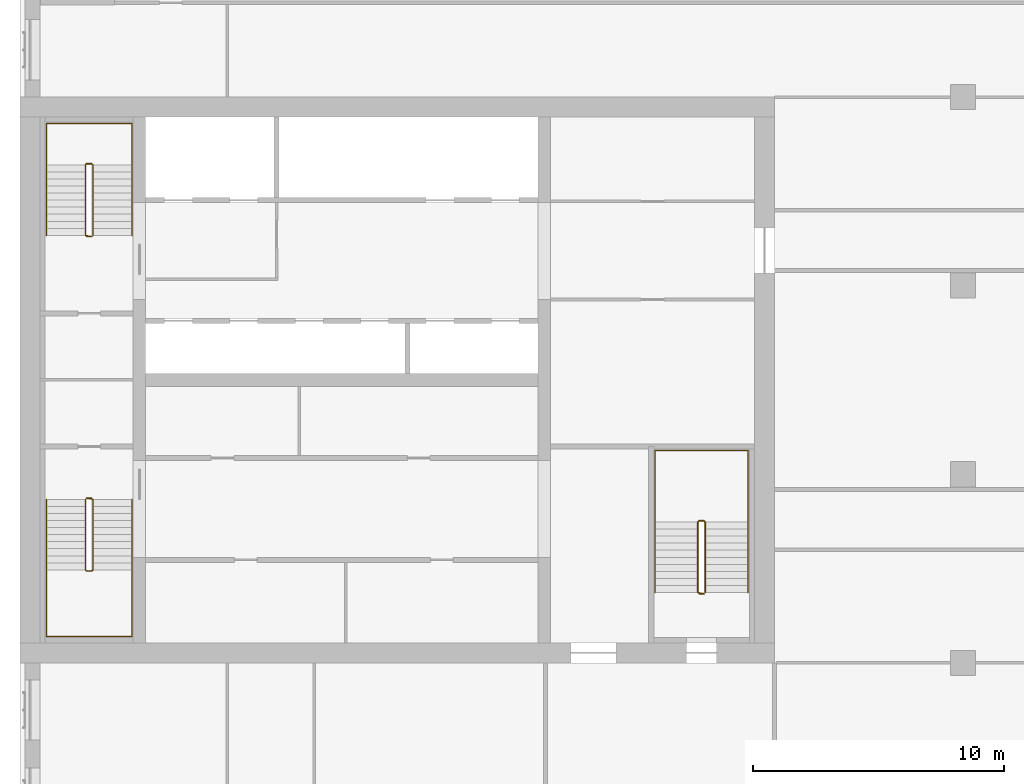
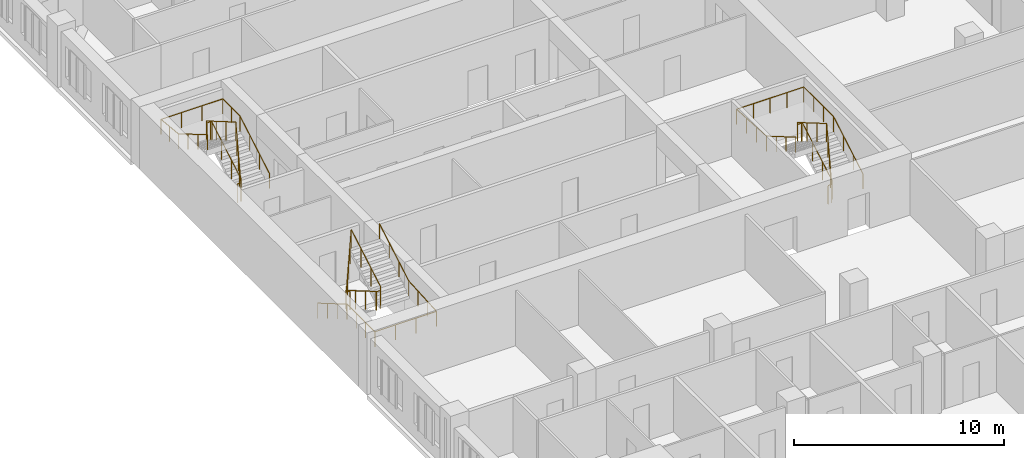
# One storey, part 14 of 14: 6 railings.
"""IFC4 building model written with IfcOpenShell, lengths in metres."""

from ifc_helpers import new_model, si_unit, direction, frame, origin, origin_2d, place, context, subcontext, project, spatial, circle, extrude, material, type_object, element, save


model = new_model("IFC4")

# Units and contexts
model_context = context("Model", 3, precision=1e-05, world=origin(), true_north=direction((0.0, 1.0)))
body_context = subcontext(model_context, "Body", "Model", "MODEL_VIEW")
ifc_project = project(units=[si_unit("LENGTHUNIT", "METRE"), si_unit("AREAUNIT", "SQUARE_METRE"), si_unit("VOLUMEUNIT", "CUBIC_METRE"), si_unit("PLANEANGLEUNIT", "RADIAN"), si_unit("MASSUNIT", "GRAM", prefix="KILO")], contexts=[model_context])

# Site, building, storey
site_placement = place(None, origin())
site = spatial("IfcSite", under=ifc_project, at=site_placement, CompositionType="ELEMENT")
building_placement = place(site_placement, origin())
building = spatial("IfcBuilding", under=site, at=building_placement, Name="Tamorin Gate", CompositionType="ELEMENT")
storey_placement = place(building_placement, frame((0.0, 0.0, 162.60009765625)))
storey = spatial("IfcBuildingStorey", under=building, at=storey_placement, Name="L40", CompositionType="ELEMENT", Elevation=162.60009765625)

# Railings
ifc_material_1 = material(Name="Painted steel balustrade", Category="steel")
railing_type_1 = type_object("IfcRailingType", Name="Stair guard 1100", PredefinedType="GUARDRAIL", material=ifc_material_1)
railing_1_placement = place(storey_placement, frame((32.60009765625, 66.5, 0.16357421875)))
element("IfcRailing", 1, at=railing_1_placement, inside=storey, type_object=railing_type_1, Name="L40 ST1 stair guard 1", PredefinedType="GUARDRAIL", context=body_context, shape_type="SweptSolid", body=[
    extrude(circle(Radius=0.02392578125, at=origin_2d()), frame((0.0, 0.0, 1.076171875), z_axis=(0.0, -0.863393664356, 0.504530851732), x_axis=(1.0, 0.0, 0.0)), (0.0, 0.0, 1.0), 3.2431640625),
    extrude(circle(Radius=0.02392578125, at=origin_2d()), frame((0.0, -2.800048828125, 2.71240234375), z_axis=(0.705375805398, -0.708833529934, 0.0), x_axis=(0.708833529934, 0.705375805398, 0.0)), (0.0, 0.0, 1.0), 0.070556640625),
    extrude(circle(Radius=0.02392578125, at=origin_2d()), frame((0.0498046875, -2.85009765625, 2.71240234375), z_axis=(1.0, 0.0, 0.0), x_axis=(0.0, 1.0, 0.0)), (0.0, 0.0, 1.0), 0.2001953125),
    extrude(circle(Radius=0.02392578125, at=origin_2d()), frame((0.25, -2.85009765625, 2.71240234375), z_axis=(0.279194930351, 0.280563532951, 0.91833234444), x_axis=(-0.708833529934, 0.705375805398, 0.0)), (0.0, 0.0, 1.0), 0.178466796875),
    extrude(circle(Radius=0.02392578125, at=origin_2d()), frame((0.2998046875, -2.800048828125, 2.8759765625), z_axis=(0.0, 0.863393664356, 0.504530851732), x_axis=(-1.0, 0.0, 0.0)), (0.0, 0.0, 1.0), 3.2431640625),
    extrude(circle(Radius=0.02392578125, at=origin_2d()), frame((0.2998046875, 0.0, 4.51220703125), z_axis=(-0.069273741535, 0.013868278335, -0.997501288014), x_axis=(-0.196300278283, -0.98054382908, 0.0)), (0.0, 0.0, 1.0), 3.60888671875),
    extrude(circle(Radius=0.02392578125, at=origin_2d()), frame((0.0498046875, 0.050048828125, 0.91259765625), z_axis=(1.0, 0.0, 0.0), x_axis=(0.0, 1.0, 0.0)), (0.0, 0.0, 1.0), 0.2001953125),
    extrude(circle(Radius=0.02099609375, at=origin_2d()), origin(), (0.0, 0.0, 1.0), 1.052001953125),
    extrude(circle(Radius=0.02099609375, at=origin_2d()), frame((0.0, -0.933349609375, 0.54541015625)), (0.0, 0.0, 1.0), 1.052001953125),
    extrude(circle(Radius=0.02099609375, at=origin_2d()), frame((0.0, -1.86669921875, 1.0908203125)), (0.0, 0.0, 1.0), 1.052001953125),
    extrude(circle(Radius=0.02099609375, at=origin_2d()), frame((0.0, -2.800048828125, 1.63623046875)), (0.0, 0.0, 1.0), 1.052001953125),
    extrude(circle(Radius=0.02099609375, at=origin_2d()), frame((0.0498046875, -2.85009765625, 1.63623046875)), (0.0, 0.0, 1.0), 1.052001953125),
    extrude(circle(Radius=0.02099609375, at=origin_2d()), frame((0.25, -2.85009765625, 1.63623046875)), (0.0, 0.0, 1.0), 1.052001953125),
    extrude(circle(Radius=0.02099609375, at=origin_2d()), frame((0.2998046875, -2.800048828125, 1.800048828125)), (0.0, 0.0, 1.0), 1.052001953125),
    extrude(circle(Radius=0.02099609375, at=origin_2d()), frame((0.2998046875, -1.86669921875, 2.345458984375)), (0.0, 0.0, 1.0), 1.052001953125),
    extrude(circle(Radius=0.02099609375, at=origin_2d()), frame((0.2998046875, -0.933349609375, 2.890869140625)), (0.0, 0.0, 1.0), 1.052001953125),
    extrude(circle(Radius=0.02099609375, at=origin_2d()), frame((0.2998046875, 0.0, 3.436279296875)), (0.0, 0.0, 1.0), 1.052001953125),
    extrude(circle(Radius=0.02099609375, at=origin_2d()), frame((0.2373046875, 0.012451171875, 2.536376953125)), (0.0, 0.0, 1.0), 1.052001953125),
    extrude(circle(Radius=0.02099609375, at=origin_2d()), frame((0.1748046875, 0.02490234375, 1.63623046875)), (0.0, 0.0, 1.0), 1.052001953125),
    extrude(circle(Radius=0.02099609375, at=origin_2d()), frame((0.1123046875, 0.03759765625, 0.736328125)), (0.0, 0.0, 1.0), 1.052001953125),
    extrude(circle(Radius=0.02099609375, at=origin_2d()), frame((0.0498046875, 0.050048828125, -0.16357421875)), (0.0, 0.0, 1.0), 1.052001953125),
    extrude(circle(Radius=0.02099609375, at=origin_2d()), frame((0.25, 0.050048828125, -0.16357421875)), (0.0, 0.0, 1.0), 1.052001953125),
])
railing_2_placement = place(storey_placement, frame((32.89990234375, 77.0, 0.16357421875)))
element("IfcRailing", 2, at=railing_2_placement, inside=storey, type_object=railing_type_1, Name="L40 ST2 stair guard 1", PredefinedType="GUARDRAIL", context=body_context, shape_type="SweptSolid", body=[
    extrude(circle(Radius=0.02392578125, at=origin_2d()), frame((0.0, 0.0, 1.076171875), z_axis=(0.0, 0.863393664356, 0.504530851732), x_axis=(-1.0, 0.0, 0.0)), (0.0, 0.0, 1.0), 3.2431640625),
    extrude(circle(Radius=0.02392578125, at=origin_2d()), frame((0.0, 2.800048828125, 2.71240234375), z_axis=(-0.705375805398, 0.708833529934, 0.0), x_axis=(-0.708833529934, -0.705375805398, 0.0)), (0.0, 0.0, 1.0), 0.070556640625),
    extrude(circle(Radius=0.02392578125, at=origin_2d()), frame((-0.0498046875, 2.85009765625, 2.71240234375), z_axis=(-1.0, 0.0, 0.0), x_axis=(0.0, -1.0, 0.0)), (0.0, 0.0, 1.0), 0.2001953125),
    extrude(circle(Radius=0.02392578125, at=origin_2d()), frame((-0.25, 2.85009765625, 2.71240234375), z_axis=(-0.279194930351, -0.280563532951, 0.91833234444), x_axis=(0.708833529934, -0.705375805398, 0.0)), (0.0, 0.0, 1.0), 0.178466796875),
    extrude(circle(Radius=0.02392578125, at=origin_2d()), frame((-0.2998046875, 2.800048828125, 2.8759765625), z_axis=(0.0, -0.863393664356, 0.504530851732), x_axis=(1.0, 0.0, 0.0)), (0.0, 0.0, 1.0), 3.2431640625),
    extrude(circle(Radius=0.02392578125, at=origin_2d()), frame((-0.2998046875, 0.0, 4.51220703125), z_axis=(0.069273741535, -0.013868278335, -0.997501288014), x_axis=(0.196300278283, 0.98054382908, 0.0)), (0.0, 0.0, 1.0), 3.60888671875),
    extrude(circle(Radius=0.02392578125, at=origin_2d()), frame((-0.0498046875, -0.050048828125, 0.91259765625), z_axis=(-1.0, 0.0, 0.0), x_axis=(0.0, -1.0, 0.0)), (0.0, 0.0, 1.0), 0.2001953125),
    extrude(circle(Radius=0.02099609375, at=origin_2d()), origin(), (0.0, 0.0, 1.0), 1.052001953125),
    extrude(circle(Radius=0.02099609375, at=origin_2d()), frame((0.0, 0.933349609375, 0.54541015625)), (0.0, 0.0, 1.0), 1.052001953125),
    extrude(circle(Radius=0.02099609375, at=origin_2d()), frame((0.0, 1.86669921875, 1.0908203125)), (0.0, 0.0, 1.0), 1.052001953125),
    extrude(circle(Radius=0.02099609375, at=origin_2d()), frame((0.0, 2.800048828125, 1.63623046875)), (0.0, 0.0, 1.0), 1.052001953125),
    extrude(circle(Radius=0.02099609375, at=origin_2d()), frame((-0.0498046875, 2.85009765625, 1.63623046875)), (0.0, 0.0, 1.0), 1.052001953125),
    extrude(circle(Radius=0.02099609375, at=origin_2d()), frame((-0.25, 2.85009765625, 1.63623046875)), (0.0, 0.0, 1.0), 1.052001953125),
    extrude(circle(Radius=0.02099609375, at=origin_2d()), frame((-0.2998046875, 2.800048828125, 1.800048828125)), (0.0, 0.0, 1.0), 1.052001953125),
    extrude(circle(Radius=0.02099609375, at=origin_2d()), frame((-0.2998046875, 1.86669921875, 2.345458984375)), (0.0, 0.0, 1.0), 1.052001953125),
    extrude(circle(Radius=0.02099609375, at=origin_2d()), frame((-0.2998046875, 0.933349609375, 2.890869140625)), (0.0, 0.0, 1.0), 1.052001953125),
    extrude(circle(Radius=0.02099609375, at=origin_2d()), frame((-0.2998046875, 0.0, 3.436279296875)), (0.0, 0.0, 1.0), 1.052001953125),
    extrude(circle(Radius=0.02099609375, at=origin_2d()), frame((-0.2373046875, -0.012451171875, 2.536376953125)), (0.0, 0.0, 1.0), 1.052001953125),
    extrude(circle(Radius=0.02099609375, at=origin_2d()), frame((-0.1748046875, -0.02490234375, 1.63623046875)), (0.0, 0.0, 1.0), 1.052001953125),
    extrude(circle(Radius=0.02099609375, at=origin_2d()), frame((-0.1123046875, -0.03759765625, 0.736328125)), (0.0, 0.0, 1.0), 1.052001953125),
    extrude(circle(Radius=0.02099609375, at=origin_2d()), frame((-0.0498046875, -0.050048828125, -0.16357421875)), (0.0, 0.0, 1.0), 1.052001953125),
    extrude(circle(Radius=0.02099609375, at=origin_2d()), frame((-0.25, -0.050048828125, -0.16357421875)), (0.0, 0.0, 1.0), 1.052001953125),
])
railing_3_placement = place(storey_placement, frame((57.25, 62.800048828125, 0.16357421875)))
element("IfcRailing", 3, at=railing_3_placement, inside=storey, type_object=railing_type_1, Name="L40 ST3 stair guard 1", PredefinedType="GUARDRAIL", context=body_context, shape_type="SweptSolid", body=[
    extrude(circle(Radius=0.02392578125, at=origin_2d()), frame((0.0, 0.0, 1.076171875), z_axis=(0.0, 0.863393664356, 0.504530851732), x_axis=(-1.0, 0.0, 0.0)), (0.0, 0.0, 1.0), 3.2431640625),
    extrude(circle(Radius=0.02392578125, at=origin_2d()), frame((0.0, 2.800048828125, 2.71240234375), z_axis=(-0.708833529934, 0.705375805398, 0.0), x_axis=(-0.705375805398, -0.708833529934, 0.0)), (0.0, 0.0, 1.0), 0.070556640625),
    extrude(circle(Radius=0.02392578125, at=origin_2d()), frame((-0.050048828125, 2.849853515625, 2.71240234375), z_axis=(-1.0, 0.0, 0.0), x_axis=(0.0, -1.0, 0.0)), (0.0, 0.0, 1.0), 0.199951171875),
    extrude(circle(Radius=0.02392578125, at=origin_2d()), frame((-0.25, 2.849853515625, 2.71240234375), z_axis=(-0.280563532951, -0.279194930351, 0.91833234444), x_axis=(0.705375805398, -0.708833529934, 0.0)), (0.0, 0.0, 1.0), 0.178466796875),
    extrude(circle(Radius=0.02392578125, at=origin_2d()), frame((-0.300048828125, 2.800048828125, 2.8759765625), z_axis=(0.0, -0.863393664356, 0.504530851732), x_axis=(1.0, 0.0, 0.0)), (0.0, 0.0, 1.0), 3.2431640625),
    extrude(circle(Radius=0.02392578125, at=origin_2d()), frame((-0.300048828125, 0.0, 4.51220703125), z_axis=(0.069273741535, -0.013868278335, -0.997501288014), x_axis=(0.196300278283, 0.98054382908, 0.0)), (0.0, 0.0, 1.0), 3.60888671875),
    extrude(circle(Radius=0.02392578125, at=origin_2d()), frame((-0.050048828125, -0.050048828125, 0.91259765625), z_axis=(-1.0, 0.0, 0.0), x_axis=(0.0, -1.0, 0.0)), (0.0, 0.0, 1.0), 0.199951171875),
    extrude(circle(Radius=0.02099609375, at=origin_2d()), origin(), (0.0, 0.0, 1.0), 1.052001953125),
    extrude(circle(Radius=0.02099609375, at=origin_2d()), frame((0.0, 0.933349609375, 0.54541015625)), (0.0, 0.0, 1.0), 1.052001953125),
    extrude(circle(Radius=0.02099609375, at=origin_2d()), frame((0.0, 1.86669921875, 1.0908203125)), (0.0, 0.0, 1.0), 1.052001953125),
    extrude(circle(Radius=0.02099609375, at=origin_2d()), frame((0.0, 2.800048828125, 1.63623046875)), (0.0, 0.0, 1.0), 1.052001953125),
    extrude(circle(Radius=0.02099609375, at=origin_2d()), frame((-0.050048828125, 2.849853515625, 1.63623046875)), (0.0, 0.0, 1.0), 1.052001953125),
    extrude(circle(Radius=0.02099609375, at=origin_2d()), frame((-0.25, 2.849853515625, 1.63623046875)), (0.0, 0.0, 1.0), 1.052001953125),
    extrude(circle(Radius=0.02099609375, at=origin_2d()), frame((-0.300048828125, 2.800048828125, 1.800048828125)), (0.0, 0.0, 1.0), 1.052001953125),
    extrude(circle(Radius=0.02099609375, at=origin_2d()), frame((-0.300048828125, 1.86669921875, 2.345458984375)), (0.0, 0.0, 1.0), 1.052001953125),
    extrude(circle(Radius=0.02099609375, at=origin_2d()), frame((-0.300048828125, 0.933349609375, 2.890869140625)), (0.0, 0.0, 1.0), 1.052001953125),
    extrude(circle(Radius=0.02099609375, at=origin_2d()), frame((-0.300048828125, 0.0, 3.436279296875)), (0.0, 0.0, 1.0), 1.052001953125),
    extrude(circle(Radius=0.02099609375, at=origin_2d()), frame((-0.237548828125, -0.012451171875, 2.536376953125)), (0.0, 0.0, 1.0), 1.052001953125),
    extrude(circle(Radius=0.02099609375, at=origin_2d()), frame((-0.175048828125, -0.02490234375, 1.63623046875)), (0.0, 0.0, 1.0), 1.052001953125),
    extrude(circle(Radius=0.02099609375, at=origin_2d()), frame((-0.112548828125, -0.03759765625, 0.736328125)), (0.0, 0.0, 1.0), 1.052001953125),
    extrude(circle(Radius=0.02099609375, at=origin_2d()), frame((-0.050048828125, -0.050048828125, -0.16357421875)), (0.0, 0.0, 1.0), 1.052001953125),
    extrude(circle(Radius=0.02099609375, at=origin_2d()), frame((-0.25, -0.050048828125, -0.16357421875)), (0.0, 0.0, 1.0), 1.052001953125),
])
ifc_material_2 = material(Name="Painted steel handrail", Category="steel")
railing_type_2 = type_object("IfcRailingType", Name="Stair handrail 900", PredefinedType="HANDRAIL", material=ifc_material_2)
railing_4_placement = place(storey_placement, frame((31.050048828125, 66.5, 0.16357421875)))
element("IfcRailing", 4, at=railing_4_placement, inside=storey, type_object=railing_type_2, Name="L40 ST1 stair handrail 1", PredefinedType="HANDRAIL", context=body_context, shape_type="SweptSolid", body=[
    extrude(circle(Radius=0.02392578125, at=origin_2d()), frame((0.0, 0.0, 0.8759765625), z_axis=(0.0, -0.863393664356, 0.504530851732), x_axis=(1.0, 0.0, 0.0)), (0.0, 0.0, 1.0), 3.2431640625),
    extrude(circle(Radius=0.02392578125, at=origin_2d()), frame((0.0, -2.800048828125, 2.51220703125), z_axis=(0.0, -1.0, 0.0), x_axis=(1.0, 0.0, 0.0)), (0.0, 0.0, 1.0), 2.64990234375),
    extrude(circle(Radius=0.02392578125, at=origin_2d()), frame((0.0, -5.449951171875, 2.51220703125), z_axis=(1.0, 0.0, 0.0), x_axis=(0.0, 1.0, 0.0)), (0.0, 0.0, 1.0), 3.39990234375),
    extrude(circle(Radius=0.02392578125, at=origin_2d()), frame((3.39990234375, -5.449951171875, 2.51220703125), z_axis=(0.0, 0.998094571079, 0.061702732375), x_axis=(-1.0, 0.0, 0.0)), (0.0, 0.0, 1.0), 2.655029296875),
    extrude(circle(Radius=0.02392578125, at=origin_2d()), frame((3.39990234375, -2.800048828125, 2.67578125), z_axis=(0.0, 0.863393664356, 0.504530851732), x_axis=(-1.0, 0.0, 0.0)), (0.0, 0.0, 1.0), 3.2431640625),
    extrude(circle(Radius=0.02099609375, at=origin_2d()), origin(), (0.0, 0.0, 1.0), 0.851806640625),
    extrude(circle(Radius=0.02099609375, at=origin_2d()), frame((0.0, -0.933349609375, 0.54541015625)), (0.0, 0.0, 1.0), 0.851806640625),
    extrude(circle(Radius=0.02099609375, at=origin_2d()), frame((0.0, -1.86669921875, 1.0908203125)), (0.0, 0.0, 1.0), 0.851806640625),
    extrude(circle(Radius=0.02099609375, at=origin_2d()), frame((0.0, -2.800048828125, 1.63623046875)), (0.0, 0.0, 1.0), 0.851806640625),
    extrude(circle(Radius=0.02099609375, at=origin_2d()), frame((0.0, -3.683349609375, 1.63623046875)), (0.0, 0.0, 1.0), 0.851806640625),
    extrude(circle(Radius=0.02099609375, at=origin_2d()), frame((0.0, -4.566650390625, 1.63623046875)), (0.0, 0.0, 1.0), 0.851806640625),
    extrude(circle(Radius=0.02099609375, at=origin_2d()), frame((0.0, -5.449951171875, 1.63623046875)), (0.0, 0.0, 1.0), 0.851806640625),
    extrude(circle(Radius=0.02099609375, at=origin_2d()), frame((1.13330078125, -5.449951171875, 1.63623046875)), (0.0, 0.0, 1.0), 0.851806640625),
    extrude(circle(Radius=0.02099609375, at=origin_2d()), frame((2.2666015625, -5.449951171875, 1.63623046875)), (0.0, 0.0, 1.0), 0.851806640625),
    extrude(circle(Radius=0.02099609375, at=origin_2d()), frame((3.39990234375, -5.449951171875, 1.63623046875)), (0.0, 0.0, 1.0), 0.851806640625),
    extrude(circle(Radius=0.02099609375, at=origin_2d()), frame((3.39990234375, -4.566650390625, 1.69091796875)), (0.0, 0.0, 1.0), 0.851806640625),
    extrude(circle(Radius=0.02099609375, at=origin_2d()), frame((3.39990234375, -3.683349609375, 1.745361328125)), (0.0, 0.0, 1.0), 0.851806640625),
    extrude(circle(Radius=0.02099609375, at=origin_2d()), frame((3.39990234375, -2.800048828125, 1.800048828125)), (0.0, 0.0, 1.0), 0.851806640625),
    extrude(circle(Radius=0.02099609375, at=origin_2d()), frame((3.39990234375, -1.86669921875, 2.345458984375)), (0.0, 0.0, 1.0), 0.851806640625),
    extrude(circle(Radius=0.02099609375, at=origin_2d()), frame((3.39990234375, -0.933349609375, 2.890869140625)), (0.0, 0.0, 1.0), 0.851806640625),
    extrude(circle(Radius=0.02099609375, at=origin_2d()), frame((3.39990234375, 0.0, 3.436279296875)), (0.0, 0.0, 1.0), 0.851806640625),
])
railing_5_placement = place(storey_placement, frame((34.449951171875, 77.0, 0.16357421875)))
element("IfcRailing", 5, at=railing_5_placement, inside=storey, type_object=railing_type_2, Name="L40 ST2 stair handrail 1", PredefinedType="HANDRAIL", context=body_context, shape_type="SweptSolid", body=[
    extrude(circle(Radius=0.02392578125, at=origin_2d()), frame((0.0, 0.0, 0.8759765625), z_axis=(0.0, 0.863393664356, 0.504530851732), x_axis=(-1.0, 0.0, 0.0)), (0.0, 0.0, 1.0), 3.2431640625),
    extrude(circle(Radius=0.02392578125, at=origin_2d()), frame((0.0, 2.800048828125, 2.51220703125), z_axis=(0.0, 1.0, 0.0), x_axis=(-1.0, 0.0, 0.0)), (0.0, 0.0, 1.0), 1.64990234375),
    extrude(circle(Radius=0.02392578125, at=origin_2d()), frame((0.0, 4.449951171875, 2.51220703125), z_axis=(-1.0, 0.0, 0.0), x_axis=(0.0, -1.0, 0.0)), (0.0, 0.0, 1.0), 3.39990234375),
    extrude(circle(Radius=0.02392578125, at=origin_2d()), frame((-3.39990234375, 4.449951171875, 2.51220703125), z_axis=(0.0, -0.995106923726, 0.098803898464), x_axis=(1.0, 0.0, 0.0)), (0.0, 0.0, 1.0), 1.657958984375),
    extrude(circle(Radius=0.02392578125, at=origin_2d()), frame((-3.39990234375, 2.800048828125, 2.67578125), z_axis=(0.0, -0.863393664356, 0.504530851732), x_axis=(1.0, 0.0, 0.0)), (0.0, 0.0, 1.0), 3.2431640625),
    extrude(circle(Radius=0.02099609375, at=origin_2d()), origin(), (0.0, 0.0, 1.0), 0.851806640625),
    extrude(circle(Radius=0.02099609375, at=origin_2d()), frame((0.0, 0.933349609375, 0.54541015625)), (0.0, 0.0, 1.0), 0.851806640625),
    extrude(circle(Radius=0.02099609375, at=origin_2d()), frame((0.0, 1.86669921875, 1.0908203125)), (0.0, 0.0, 1.0), 0.851806640625),
    extrude(circle(Radius=0.02099609375, at=origin_2d()), frame((0.0, 2.800048828125, 1.63623046875)), (0.0, 0.0, 1.0), 0.851806640625),
    extrude(circle(Radius=0.02099609375, at=origin_2d()), frame((0.0, 3.625, 1.63623046875)), (0.0, 0.0, 1.0), 0.851806640625),
    extrude(circle(Radius=0.02099609375, at=origin_2d()), frame((0.0, 4.449951171875, 1.63623046875)), (0.0, 0.0, 1.0), 0.851806640625),
    extrude(circle(Radius=0.02099609375, at=origin_2d()), frame((-1.13330078125, 4.449951171875, 1.63623046875)), (0.0, 0.0, 1.0), 0.851806640625),
    extrude(circle(Radius=0.02099609375, at=origin_2d()), frame((-2.2666015625, 4.449951171875, 1.63623046875)), (0.0, 0.0, 1.0), 0.851806640625),
    extrude(circle(Radius=0.02099609375, at=origin_2d()), frame((-3.39990234375, 4.449951171875, 1.63623046875)), (0.0, 0.0, 1.0), 0.851806640625),
    extrude(circle(Radius=0.02099609375, at=origin_2d()), frame((-3.39990234375, 3.625, 1.71826171875)), (0.0, 0.0, 1.0), 0.851806640625),
    extrude(circle(Radius=0.02099609375, at=origin_2d()), frame((-3.39990234375, 2.800048828125, 1.800048828125)), (0.0, 0.0, 1.0), 0.851806640625),
    extrude(circle(Radius=0.02099609375, at=origin_2d()), frame((-3.39990234375, 1.86669921875, 2.345458984375)), (0.0, 0.0, 1.0), 0.851806640625),
    extrude(circle(Radius=0.02099609375, at=origin_2d()), frame((-3.39990234375, 0.933349609375, 2.890869140625)), (0.0, 0.0, 1.0), 0.851806640625),
    extrude(circle(Radius=0.02099609375, at=origin_2d()), frame((-3.39990234375, 0.0, 3.436279296875)), (0.0, 0.0, 1.0), 0.851806640625),
])
railing_6_placement = place(storey_placement, frame((58.949951171875, 62.800048828125, 0.16357421875)))
element("IfcRailing", 6, at=railing_6_placement, inside=storey, type_object=railing_type_2, Name="L40 ST3 stair handrail 1", PredefinedType="HANDRAIL", context=body_context, shape_type="SweptSolid", body=[
    extrude(circle(Radius=0.02392578125, at=origin_2d()), frame((0.0, 0.0, 0.8759765625), z_axis=(0.0, 0.863393664356, 0.504530851732), x_axis=(-1.0, 0.0, 0.0)), (0.0, 0.0, 1.0), 3.2431640625),
    extrude(circle(Radius=0.02392578125, at=origin_2d()), frame((0.0, 2.800048828125, 2.51220703125), z_axis=(0.0, 1.0, 0.0), x_axis=(-1.0, 0.0, 0.0)), (0.0, 0.0, 1.0), 2.849853515625),
    extrude(circle(Radius=0.02392578125, at=origin_2d()), frame((0.0, 5.64990234375, 2.51220703125), z_axis=(-1.0, 0.0, 0.0), x_axis=(0.0, -1.0, 0.0)), (0.0, 0.0, 1.0), 3.699951171875),
    extrude(circle(Radius=0.02392578125, at=origin_2d()), frame((-3.699951171875, 5.64990234375, 2.51220703125), z_axis=(0.0, -0.998351930891, 0.057388344524), x_axis=(1.0, 0.0, 0.0)), (0.0, 0.0, 1.0), 2.8544921875),
    extrude(circle(Radius=0.02392578125, at=origin_2d()), frame((-3.699951171875, 2.800048828125, 2.67578125), z_axis=(0.0, -0.863393664356, 0.504530851732), x_axis=(1.0, 0.0, 0.0)), (0.0, 0.0, 1.0), 3.2431640625),
    extrude(circle(Radius=0.02099609375, at=origin_2d()), origin(), (0.0, 0.0, 1.0), 0.851806640625),
    extrude(circle(Radius=0.02099609375, at=origin_2d()), frame((0.0, 0.933349609375, 0.54541015625)), (0.0, 0.0, 1.0), 0.851806640625),
    extrude(circle(Radius=0.02099609375, at=origin_2d()), frame((0.0, 1.86669921875, 1.0908203125)), (0.0, 0.0, 1.0), 0.851806640625),
    extrude(circle(Radius=0.02099609375, at=origin_2d()), frame((0.0, 2.800048828125, 1.63623046875)), (0.0, 0.0, 1.0), 0.851806640625),
    extrude(circle(Radius=0.02099609375, at=origin_2d()), frame((0.0, 3.75, 1.63623046875)), (0.0, 0.0, 1.0), 0.851806640625),
    extrude(circle(Radius=0.02099609375, at=origin_2d()), frame((0.0, 4.699951171875, 1.63623046875)), (0.0, 0.0, 1.0), 0.851806640625),
    extrude(circle(Radius=0.02099609375, at=origin_2d()), frame((0.0, 5.64990234375, 1.63623046875)), (0.0, 0.0, 1.0), 0.851806640625),
    extrude(circle(Radius=0.02099609375, at=origin_2d()), frame((-0.925048828125, 5.64990234375, 1.63623046875)), (0.0, 0.0, 1.0), 0.851806640625),
    extrude(circle(Radius=0.02099609375, at=origin_2d()), frame((-1.85009765625, 5.64990234375, 1.63623046875)), (0.0, 0.0, 1.0), 0.851806640625),
    extrude(circle(Radius=0.02099609375, at=origin_2d()), frame((-2.77490234375, 5.64990234375, 1.63623046875)), (0.0, 0.0, 1.0), 0.851806640625),
    extrude(circle(Radius=0.02099609375, at=origin_2d()), frame((-3.699951171875, 5.64990234375, 1.63623046875)), (0.0, 0.0, 1.0), 0.851806640625),
    extrude(circle(Radius=0.02099609375, at=origin_2d()), frame((-3.699951171875, 4.699951171875, 1.69091796875)), (0.0, 0.0, 1.0), 0.851806640625),
    extrude(circle(Radius=0.02099609375, at=origin_2d()), frame((-3.699951171875, 3.75, 1.745361328125)), (0.0, 0.0, 1.0), 0.851806640625),
    extrude(circle(Radius=0.02099609375, at=origin_2d()), frame((-3.699951171875, 2.800048828125, 1.800048828125)), (0.0, 0.0, 1.0), 0.851806640625),
    extrude(circle(Radius=0.02099609375, at=origin_2d()), frame((-3.699951171875, 1.86669921875, 2.345458984375)), (0.0, 0.0, 1.0), 0.851806640625),
    extrude(circle(Radius=0.02099609375, at=origin_2d()), frame((-3.699951171875, 0.933349609375, 2.890869140625)), (0.0, 0.0, 1.0), 0.851806640625),
    extrude(circle(Radius=0.02099609375, at=origin_2d()), frame((-3.699951171875, 0.0, 3.436279296875)), (0.0, 0.0, 1.0), 0.851806640625),
])

save(model, "model.ifc")
